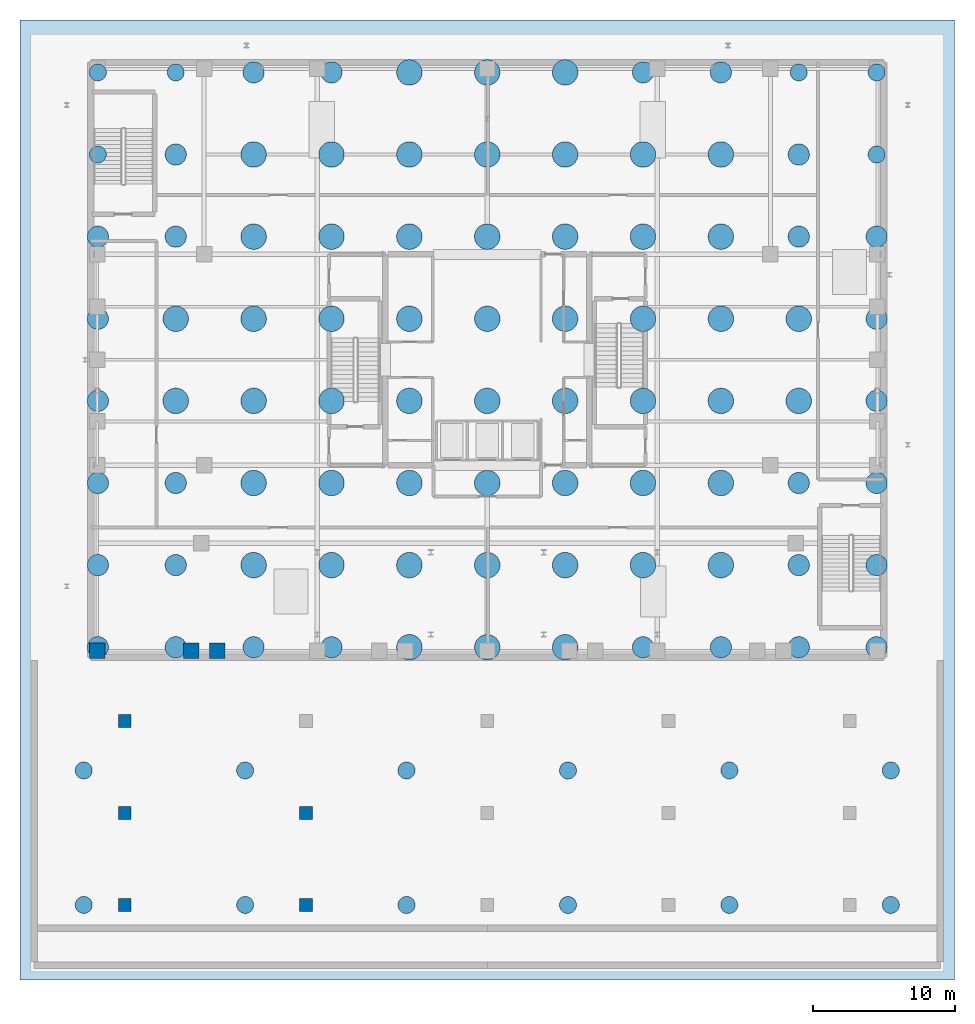
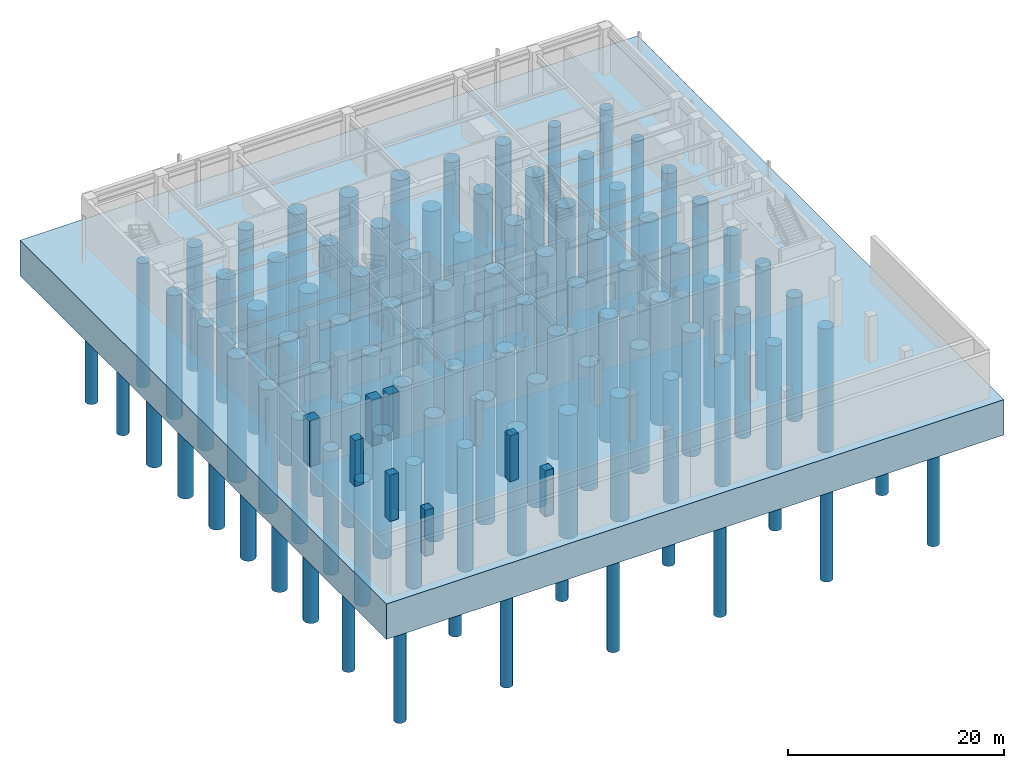
# One storey, part 1 of 18: 100 piles, 8 columns, 1 footing.
"""IFC4 building model written with IfcOpenShell, lengths in metres."""

from ifc_helpers import new_model, si_unit, direction, frame, origin, origin_2d, place, context, subcontext, project, spatial, polyline, rectangle, circle, outline, extrude, material, layer, layer_set, material_profile, profile_set, type_object, element, save


model = new_model("IFC4")

# Units and contexts
model_context = context("Model", 3, precision=1e-05, world=origin(), true_north=direction((0.0, 1.0)))
body_context = subcontext(model_context, "Body", "Model", "MODEL_VIEW")
ifc_project = project(units=[si_unit("LENGTHUNIT", "METRE"), si_unit("AREAUNIT", "SQUARE_METRE"), si_unit("VOLUMEUNIT", "CUBIC_METRE"), si_unit("PLANEANGLEUNIT", "RADIAN"), si_unit("MASSUNIT", "GRAM", prefix="KILO")], contexts=[model_context])

# Site, building, storey
site_placement = place(None, origin())
site = spatial("IfcSite", under=ifc_project, at=site_placement, CompositionType="ELEMENT")
building_placement = place(site_placement, origin())
building = spatial("IfcBuilding", under=site, at=building_placement, Name="Veldorina Hangang Commons", CompositionType="ELEMENT")
storey_placement = place(building_placement, frame((0.0, 0.0, -10.39990234375)))
storey = spatial("IfcBuildingStorey", under=building, at=storey_placement, Name="B02", CompositionType="ELEMENT", Elevation=-10.39990234375)

# Footing
ifc_material_1 = material(Name="Concrete C50/60", Category="concrete")
ifc_layer = layer(ifc_material_1, 4.0)
ifc_layer_set = layer_set([ifc_layer], Name="Concrete C50/60")
footing_type = type_object("IfcFootingType", Name="FT-MAT-4000", PredefinedType="PILE_CAP", material=ifc_layer_set)
footing_placement = place(storey_placement, frame((0.0, 0.0, -4.0)))
element("IfcFooting", 1, at=footing_placement, inside=storey, type_object=footing_type, Name="B02 piled raft foundation mat", PredefinedType="PILE_CAP", context=body_context, shape_type="SweptSolid", body=[
    extrude(outline(polyline([(-1.0, -19.800048828125), (65.0, -19.800048828125), (65.0, 48.0), (-1.0, 48.0), (-1.0, -19.800048828125)])), origin(), (0.0, 0.0, 1.0), 4.0),
])

# Piles
ifc_material_2 = material(Name="Concrete C45/55", Category="concrete")
ifc_material_profile_1 = material_profile(ifc_material_2, circle(Radius=0.60009765625, at=origin_2d()), Name="PILE-D1200")
ifc_profile_set_1 = profile_set([ifc_material_profile_1], Name="Concrete C45/55")
pile_type_1 = type_object("IfcPileType", Name="TYPE-PILE-D1200", PredefinedType="BORED", material=ifc_profile_set_1)
for number, where, z_axis, x_axis, name in (
    (2, (4.5, 38.5, -3.85009765625), (0.0, 0.0, -1.0), (1.0, 0.0, 0.0), "Rock-socketed bored pile 067"),
    (3, (59.5, 38.5, -3.85009765625), (0.0, 0.0, -1.0), (1.0, 0.0, 0.0), "Rock-socketed bored pile 077"),
    (4, (4.5, 44.300048828125, -3.85009765625), (0.0, 0.0, -1.0), (1.0, 0.0, 0.0), "Rock-socketed bored pile 078"),
    (5, (10.0, 44.300048828125, -3.85009765625), (0.0, 0.0, -1.0), (1.0, 0.0, 0.0), "Rock-socketed bored pile 079"),
    (6, (54.0, 44.300048828125, -3.85009765625), (0.0, 0.0, -1.0), (1.0, 0.0, 0.0), "Rock-socketed bored pile 087"),
    (7, (59.5, 44.300048828125, -3.85009765625), (0.0, 0.0, -1.0), (1.0, 0.0, 0.0), "Rock-socketed bored pile 088"),
    (8, (3.5, -14.5, -3.85009765625), (0.0, 0.0, -1.0), (1.0, 0.0, 0.0), "Waterfront raft bored pile 01"),
    (9, (14.89990234375, -14.5, -3.85009765625), (0.0, 0.0, -1.0), (1.0, 0.0, 0.0), "Waterfront raft bored pile 02"),
    (10, (26.300048828125, -14.5, -3.85009765625), (0.0, 0.0, -1.0), (1.0, 0.0, 0.0), "Waterfront raft bored pile 03"),
    (11, (37.699951171875, -14.5, -3.85009765625), (0.0, 0.0, -1.0), (1.0, 0.0, 0.0), "Waterfront raft bored pile 04"),
    (12, (49.10009765625, -14.5, -3.85009765625), (0.0, 0.0, -1.0), (1.0, 0.0, 0.0), "Waterfront raft bored pile 05"),
    (13, (60.5, -14.5, -3.85009765625), (0.0, 0.0, -1.0), (1.0, 0.0, 0.0), "Waterfront raft bored pile 06"),
    (14, (3.5, -5.0, -3.85009765625), (0.0, 0.0, -1.0), (1.0, 0.0, 0.0), "Waterfront raft bored pile 07"),
    (15, (14.89990234375, -5.0, -3.85009765625), (0.0, 0.0, -1.0), (1.0, 0.0, 0.0), "Waterfront raft bored pile 08"),
    (16, (26.300048828125, -5.0, -3.85009765625), (0.0, 0.0, -1.0), (1.0, 0.0, 0.0), "Waterfront raft bored pile 09"),
    (17, (37.699951171875, -5.0, -3.85009765625), (0.0, 0.0, -1.0), (1.0, 0.0, 0.0), "Waterfront raft bored pile 10"),
    (18, (49.10009765625, -5.0, -3.85009765625), (0.0, 0.0, -1.0), (1.0, 0.0, 0.0), "Waterfront raft bored pile 11"),
    (19, (60.5, -5.0, -3.85009765625), (0.0, 0.0, -1.0), (1.0, 0.0, 0.0), "Waterfront raft bored pile 12"),
):
    element("IfcPile", number, at=place(storey_placement, frame(where, z_axis=z_axis, x_axis=x_axis)), inside=storey, type_object=pile_type_1, Name=name, PredefinedType="BORED", context=body_context, shape_type="SweptSolid", body=[
        extrude(circle(Radius=0.60009765625, at=origin_2d()), origin(), (0.0, 0.0, 1.0), 14.0),
    ])
ifc_material_profile_2 = material_profile(ifc_material_2, circle(Radius=0.75, at=origin_2d()), Name="PILE-D1500")
ifc_profile_set_2 = profile_set([ifc_material_profile_2], Name="Concrete C45/55")
pile_type_2 = type_object("IfcPileType", Name="TYPE-PILE-D1500", PredefinedType="BORED", material=ifc_profile_set_2)
for number, where, z_axis, x_axis, name in (
    (20, (4.5, 3.699951171875, -3.85009765625), (0.0, 0.0, -1.0), (1.0, 0.0, 0.0), "Rock-socketed bored pile 001"),
    (21, (10.0, 3.699951171875, -3.85009765625), (0.0, 0.0, -1.0), (1.0, 0.0, 0.0), "Rock-socketed bored pile 002"),
    (22, (15.5, 3.699951171875, -3.85009765625), (0.0, 0.0, -1.0), (1.0, 0.0, 0.0), "Rock-socketed bored pile 003"),
    (23, (21.0, 3.699951171875, -3.85009765625), (0.0, 0.0, -1.0), (1.0, 0.0, 0.0), "Rock-socketed bored pile 004"),
    (24, (43.0, 3.699951171875, -3.85009765625), (0.0, 0.0, -1.0), (1.0, 0.0, 0.0), "Rock-socketed bored pile 008"),
    (25, (48.5, 3.699951171875, -3.85009765625), (0.0, 0.0, -1.0), (1.0, 0.0, 0.0), "Rock-socketed bored pile 009"),
    (26, (54.0, 3.699951171875, -3.85009765625), (0.0, 0.0, -1.0), (1.0, 0.0, 0.0), "Rock-socketed bored pile 010"),
    (27, (59.5, 3.699951171875, -3.85009765625), (0.0, 0.0, -1.0), (1.0, 0.0, 0.0), "Rock-socketed bored pile 011"),
    (28, (4.5, 9.5, -3.85009765625), (0.0, 0.0, -1.0), (1.0, 0.0, 0.0), "Rock-socketed bored pile 012"),
    (29, (10.0, 9.5, -3.85009765625), (0.0, 0.0, -1.0), (1.0, 0.0, 0.0), "Rock-socketed bored pile 013"),
    (30, (54.0, 9.5, -3.85009765625), (0.0, 0.0, -1.0), (1.0, 0.0, 0.0), "Rock-socketed bored pile 021"),
    (31, (59.5, 9.5, -3.85009765625), (0.0, 0.0, -1.0), (1.0, 0.0, 0.0), "Rock-socketed bored pile 022"),
    (32, (4.5, 15.300048828125, -3.85009765625), (0.0, 0.0, -1.0), (1.0, 0.0, 0.0), "Rock-socketed bored pile 023"),
    (33, (10.0, 15.300048828125, -3.85009765625), (0.0, 0.0, -1.0), (1.0, 0.0, 0.0), "Rock-socketed bored pile 024"),
    (34, (54.0, 15.300048828125, -3.85009765625), (0.0, 0.0, -1.0), (1.0, 0.0, 0.0), "Rock-socketed bored pile 032"),
    (35, (59.5, 15.300048828125, -3.85009765625), (0.0, 0.0, -1.0), (1.0, 0.0, 0.0), "Rock-socketed bored pile 033"),
    (36, (4.5, 21.10009765625, -3.85009765625), (0.0, 0.0, -1.0), (1.0, 0.0, 0.0), "Rock-socketed bored pile 034"),
    (37, (59.5, 21.10009765625, -3.85009765625), (0.0, 0.0, -1.0), (1.0, 0.0, 0.0), "Rock-socketed bored pile 044"),
    (38, (4.5, 26.89990234375, -3.85009765625), (0.0, 0.0, -1.0), (1.0, 0.0, 0.0), "Rock-socketed bored pile 045"),
    (39, (59.5, 26.89990234375, -3.85009765625), (0.0, 0.0, -1.0), (1.0, 0.0, 0.0), "Rock-socketed bored pile 055"),
    (40, (4.5, 32.699951171875, -3.85009765625), (0.0, 0.0, -1.0), (1.0, 0.0, 0.0), "Rock-socketed bored pile 056"),
    (41, (10.0, 32.699951171875, -3.85009765625), (0.0, 0.0, -1.0), (1.0, 0.0, 0.0), "Rock-socketed bored pile 057"),
    (42, (54.0, 32.699951171875, -3.85009765625), (0.0, 0.0, -1.0), (1.0, 0.0, 0.0), "Rock-socketed bored pile 065"),
    (43, (59.5, 32.699951171875, -3.85009765625), (0.0, 0.0, -1.0), (1.0, 0.0, 0.0), "Rock-socketed bored pile 066"),
    (44, (10.0, 38.5, -3.85009765625), (0.0, 0.0, -1.0), (1.0, 0.0, 0.0), "Rock-socketed bored pile 068"),
    (45, (54.0, 38.5, -3.85009765625), (0.0, 0.0, -1.0), (1.0, 0.0, 0.0), "Rock-socketed bored pile 076"),
    (46, (15.5, 44.300048828125, -3.85009765625), (0.0, 0.0, -1.0), (1.0, 0.0, 0.0), "Rock-socketed bored pile 080"),
    (47, (21.0, 44.300048828125, -3.85009765625), (0.0, 0.0, -1.0), (1.0, 0.0, 0.0), "Rock-socketed bored pile 081"),
    (48, (43.0, 44.300048828125, -3.85009765625), (0.0, 0.0, -1.0), (1.0, 0.0, 0.0), "Rock-socketed bored pile 085"),
    (49, (48.5, 44.300048828125, -3.85009765625), (0.0, 0.0, -1.0), (1.0, 0.0, 0.0), "Rock-socketed bored pile 086"),
):
    element("IfcPile", number, at=place(storey_placement, frame(where, z_axis=z_axis, x_axis=x_axis)), inside=storey, type_object=pile_type_2, Name=name, PredefinedType="BORED", context=body_context, shape_type="SweptSolid", body=[
        extrude(circle(Radius=0.75, at=origin_2d()), origin(), (0.0, 0.0, 1.0), 14.0),
    ])
ifc_material_profile_3 = material_profile(ifc_material_2, circle(Radius=0.89990234375, at=origin_2d()), Name="PILE-D1800")
ifc_profile_set_3 = profile_set([ifc_material_profile_3], Name="Concrete C45/55")
pile_type_3 = type_object("IfcPileType", Name="TYPE-PILE-D1800", PredefinedType="BORED", material=ifc_profile_set_3)
for number, where, z_axis, x_axis, name in (
    (50, (26.5, 3.699951171875, -3.85009765625), (0.0, 0.0, -1.0), (1.0, 0.0, 0.0), "Rock-socketed bored pile 005"),
    (51, (32.0, 3.699951171875, -3.85009765625), (0.0, 0.0, -1.0), (1.0, 0.0, 0.0), "Rock-socketed bored pile 006"),
    (52, (37.5, 3.699951171875, -3.85009765625), (0.0, 0.0, -1.0), (1.0, 0.0, 0.0), "Rock-socketed bored pile 007"),
    (53, (15.5, 9.5, -3.85009765625), (0.0, 0.0, -1.0), (1.0, 0.0, 0.0), "Rock-socketed bored pile 014"),
    (54, (21.0, 9.5, -3.85009765625), (0.0, 0.0, -1.0), (1.0, 0.0, 0.0), "Rock-socketed bored pile 015"),
    (55, (26.5, 9.5, -3.85009765625), (0.0, 0.0, -1.0), (1.0, 0.0, 0.0), "Rock-socketed bored pile 016"),
    (56, (32.0, 9.5, -3.85009765625), (0.0, 0.0, -1.0), (1.0, 0.0, 0.0), "Rock-socketed bored pile 017"),
    (57, (37.5, 9.5, -3.85009765625), (0.0, 0.0, -1.0), (1.0, 0.0, 0.0), "Rock-socketed bored pile 018"),
    (58, (43.0, 9.5, -3.85009765625), (0.0, 0.0, -1.0), (1.0, 0.0, 0.0), "Rock-socketed bored pile 019"),
    (59, (48.5, 9.5, -3.85009765625), (0.0, 0.0, -1.0), (1.0, 0.0, 0.0), "Rock-socketed bored pile 020"),
    (60, (15.5, 15.300048828125, -3.85009765625), (0.0, 0.0, -1.0), (1.0, 0.0, 0.0), "Rock-socketed bored pile 025"),
    (61, (21.0, 15.300048828125, -3.85009765625), (0.0, 0.0, -1.0), (1.0, 0.0, 0.0), "Rock-socketed bored pile 026"),
    (62, (26.5, 15.300048828125, -3.85009765625), (0.0, 0.0, -1.0), (1.0, 0.0, 0.0), "Rock-socketed bored pile 027"),
    (63, (32.0, 15.300048828125, -3.85009765625), (0.0, 0.0, -1.0), (1.0, 0.0, 0.0), "Rock-socketed bored pile 028"),
    (64, (37.5, 15.300048828125, -3.85009765625), (0.0, 0.0, -1.0), (1.0, 0.0, 0.0), "Rock-socketed bored pile 029"),
    (65, (43.0, 15.300048828125, -3.85009765625), (0.0, 0.0, -1.0), (1.0, 0.0, 0.0), "Rock-socketed bored pile 030"),
    (66, (48.5, 15.300048828125, -3.85009765625), (0.0, 0.0, -1.0), (1.0, 0.0, 0.0), "Rock-socketed bored pile 031"),
    (67, (10.0, 21.10009765625, -3.85009765625), (0.0, 0.0, -1.0), (1.0, 0.0, 0.0), "Rock-socketed bored pile 035"),
    (68, (15.5, 21.10009765625, -3.85009765625), (0.0, 0.0, -1.0), (1.0, 0.0, 0.0), "Rock-socketed bored pile 036"),
    (69, (21.0, 21.10009765625, -3.85009765625), (0.0, 0.0, -1.0), (1.0, 0.0, 0.0), "Rock-socketed bored pile 037"),
    (70, (26.5, 21.10009765625, -3.85009765625), (0.0, 0.0, -1.0), (1.0, 0.0, 0.0), "Rock-socketed bored pile 038"),
    (71, (32.0, 21.10009765625, -3.85009765625), (0.0, 0.0, -1.0), (1.0, 0.0, 0.0), "Rock-socketed bored pile 039"),
    (72, (37.5, 21.10009765625, -3.85009765625), (0.0, 0.0, -1.0), (1.0, 0.0, 0.0), "Rock-socketed bored pile 040"),
    (73, (43.0, 21.10009765625, -3.85009765625), (0.0, 0.0, -1.0), (1.0, 0.0, 0.0), "Rock-socketed bored pile 041"),
    (74, (48.5, 21.10009765625, -3.85009765625), (0.0, 0.0, -1.0), (1.0, 0.0, 0.0), "Rock-socketed bored pile 042"),
    (75, (54.0, 21.10009765625, -3.85009765625), (0.0, 0.0, -1.0), (1.0, 0.0, 0.0), "Rock-socketed bored pile 043"),
    (76, (10.0, 26.89990234375, -3.85009765625), (0.0, 0.0, -1.0), (1.0, 0.0, 0.0), "Rock-socketed bored pile 046"),
    (77, (15.5, 26.89990234375, -3.85009765625), (0.0, 0.0, -1.0), (1.0, 0.0, 0.0), "Rock-socketed bored pile 047"),
    (78, (21.0, 26.89990234375, -3.85009765625), (0.0, 0.0, -1.0), (1.0, 0.0, 0.0), "Rock-socketed bored pile 048"),
    (79, (26.5, 26.89990234375, -3.85009765625), (0.0, 0.0, -1.0), (1.0, 0.0, 0.0), "Rock-socketed bored pile 049"),
    (80, (32.0, 26.89990234375, -3.85009765625), (0.0, 0.0, -1.0), (1.0, 0.0, 0.0), "Rock-socketed bored pile 050"),
    (81, (37.5, 26.89990234375, -3.85009765625), (0.0, 0.0, -1.0), (1.0, 0.0, 0.0), "Rock-socketed bored pile 051"),
    (82, (43.0, 26.89990234375, -3.85009765625), (0.0, 0.0, -1.0), (1.0, 0.0, 0.0), "Rock-socketed bored pile 052"),
    (83, (48.5, 26.89990234375, -3.85009765625), (0.0, 0.0, -1.0), (1.0, 0.0, 0.0), "Rock-socketed bored pile 053"),
    (84, (54.0, 26.89990234375, -3.85009765625), (0.0, 0.0, -1.0), (1.0, 0.0, 0.0), "Rock-socketed bored pile 054"),
    (85, (15.5, 32.699951171875, -3.85009765625), (0.0, 0.0, -1.0), (1.0, 0.0, 0.0), "Rock-socketed bored pile 058"),
    (86, (21.0, 32.699951171875, -3.85009765625), (0.0, 0.0, -1.0), (1.0, 0.0, 0.0), "Rock-socketed bored pile 059"),
    (87, (26.5, 32.699951171875, -3.85009765625), (0.0, 0.0, -1.0), (1.0, 0.0, 0.0), "Rock-socketed bored pile 060"),
    (88, (32.0, 32.699951171875, -3.85009765625), (0.0, 0.0, -1.0), (1.0, 0.0, 0.0), "Rock-socketed bored pile 061"),
    (89, (37.5, 32.699951171875, -3.85009765625), (0.0, 0.0, -1.0), (1.0, 0.0, 0.0), "Rock-socketed bored pile 062"),
    (90, (43.0, 32.699951171875, -3.85009765625), (0.0, 0.0, -1.0), (1.0, 0.0, 0.0), "Rock-socketed bored pile 063"),
    (91, (48.5, 32.699951171875, -3.85009765625), (0.0, 0.0, -1.0), (1.0, 0.0, 0.0), "Rock-socketed bored pile 064"),
    (92, (15.5, 38.5, -3.85009765625), (0.0, 0.0, -1.0), (1.0, 0.0, 0.0), "Rock-socketed bored pile 069"),
    (93, (21.0, 38.5, -3.85009765625), (0.0, 0.0, -1.0), (1.0, 0.0, 0.0), "Rock-socketed bored pile 070"),
    (94, (26.5, 38.5, -3.85009765625), (0.0, 0.0, -1.0), (1.0, 0.0, 0.0), "Rock-socketed bored pile 071"),
    (95, (32.0, 38.5, -3.85009765625), (0.0, 0.0, -1.0), (1.0, 0.0, 0.0), "Rock-socketed bored pile 072"),
    (96, (37.5, 38.5, -3.85009765625), (0.0, 0.0, -1.0), (1.0, 0.0, 0.0), "Rock-socketed bored pile 073"),
    (97, (43.0, 38.5, -3.85009765625), (0.0, 0.0, -1.0), (1.0, 0.0, 0.0), "Rock-socketed bored pile 074"),
    (98, (48.5, 38.5, -3.85009765625), (0.0, 0.0, -1.0), (1.0, 0.0, 0.0), "Rock-socketed bored pile 075"),
    (99, (26.5, 44.300048828125, -3.85009765625), (0.0, 0.0, -1.0), (1.0, 0.0, 0.0), "Rock-socketed bored pile 082"),
    (100, (32.0, 44.300048828125, -3.85009765625), (0.0, 0.0, -1.0), (1.0, 0.0, 0.0), "Rock-socketed bored pile 083"),
    (101, (37.5, 44.300048828125, -3.85009765625), (0.0, 0.0, -1.0), (1.0, 0.0, 0.0), "Rock-socketed bored pile 084"),
):
    element("IfcPile", number, at=place(storey_placement, frame(where, z_axis=z_axis, x_axis=x_axis)), inside=storey, type_object=pile_type_3, Name=name, PredefinedType="BORED", context=body_context, shape_type="SweptSolid", body=[
        extrude(circle(Radius=0.89990234375, at=origin_2d()), origin(), (0.0, 0.0, 1.0), 14.0),
    ])

# Columns
ifc_material_3 = material(Name="Concrete C60/75", Category="concrete")
ifc_material_profile_4 = material_profile(ifc_material_3, rectangle(XDim=1.10009765625, YDim=1.10009765625, at=origin_2d()), Name="RC-COL-1100x1100")
ifc_profile_set_4 = profile_set([ifc_material_profile_4], Name="Concrete C60/75")
column_type_1 = type_object("IfcColumnType", Name="COL-RC1100", PredefinedType="COLUMN", material=ifc_profile_set_4)
for number, where, z_axis, x_axis, name in (
    (102, (4.449951171875, 3.449951171875, 0.0), (0.0, 0.0, 1.0), (1.0, 0.0, 0.0), "B02 structural column S1"),
    (103, (11.080078125, 3.449951171875, 0.0), (0.0, 0.0, 1.0), (1.0, 0.0, 0.0), "B02 structural column VC-1L"),
    (104, (12.919921875, 3.449951171875, 0.0), (0.0, 0.0, 1.0), (1.0, 0.0, 0.0), "B02 structural column VC-1R"),
):
    element("IfcColumn", number, at=place(storey_placement, frame(where, z_axis=z_axis, x_axis=x_axis)), inside=storey, type_object=column_type_1, Name=name, PredefinedType="COLUMN", context=body_context, shape_type="SweptSolid", body=[
        extrude(rectangle(XDim=1.10009765625, YDim=1.10009765625, at=origin_2d()), origin(), (0.0, 0.0, 1.0), 5.199951171875),
    ])
ifc_material_profile_5 = material_profile(ifc_material_1, rectangle(XDim=0.89990234375, YDim=0.89990234375, at=origin_2d()), Name="RC-COL-900x900")
ifc_profile_set_5 = profile_set([ifc_material_profile_5], Name="Concrete C50/60")
column_type_2 = type_object("IfcColumnType", Name="COL-RC900", PredefinedType="COLUMN", material=ifc_profile_set_5)
for number, where, z_axis, x_axis, name in (
    (105, (6.39990234375, -14.5, 0.0), (0.0, 0.0, 1.0), (1.0, 0.0, 0.0), "B02 promenade substructure column 11"),
    (106, (19.199951171875, -14.5, 0.0), (0.0, 0.0, 1.0), (1.0, 0.0, 0.0), "B02 promenade substructure column 12"),
    (107, (6.39990234375, -8.0, 0.0), (0.0, 0.0, 1.0), (1.0, 0.0, 0.0), "B02 promenade substructure column 21"),
    (108, (19.199951171875, -8.0, 0.0), (0.0, 0.0, 1.0), (1.0, 0.0, 0.0), "B02 promenade substructure column 22"),
    (109, (6.39990234375, -1.5, 0.0), (0.0, 0.0, 1.0), (1.0, 0.0, 0.0), "B02 promenade substructure column 31"),
):
    element("IfcColumn", number, at=place(storey_placement, frame(where, z_axis=z_axis, x_axis=x_axis)), inside=storey, type_object=column_type_2, Name=name, PredefinedType="COLUMN", context=body_context, shape_type="SweptSolid", body=[
        extrude(rectangle(XDim=0.89990234375, YDim=0.89990234375, at=origin_2d()), origin(), (0.0, 0.0, 1.0), 5.199951171875),
    ])

save(model, "model.ifc")
